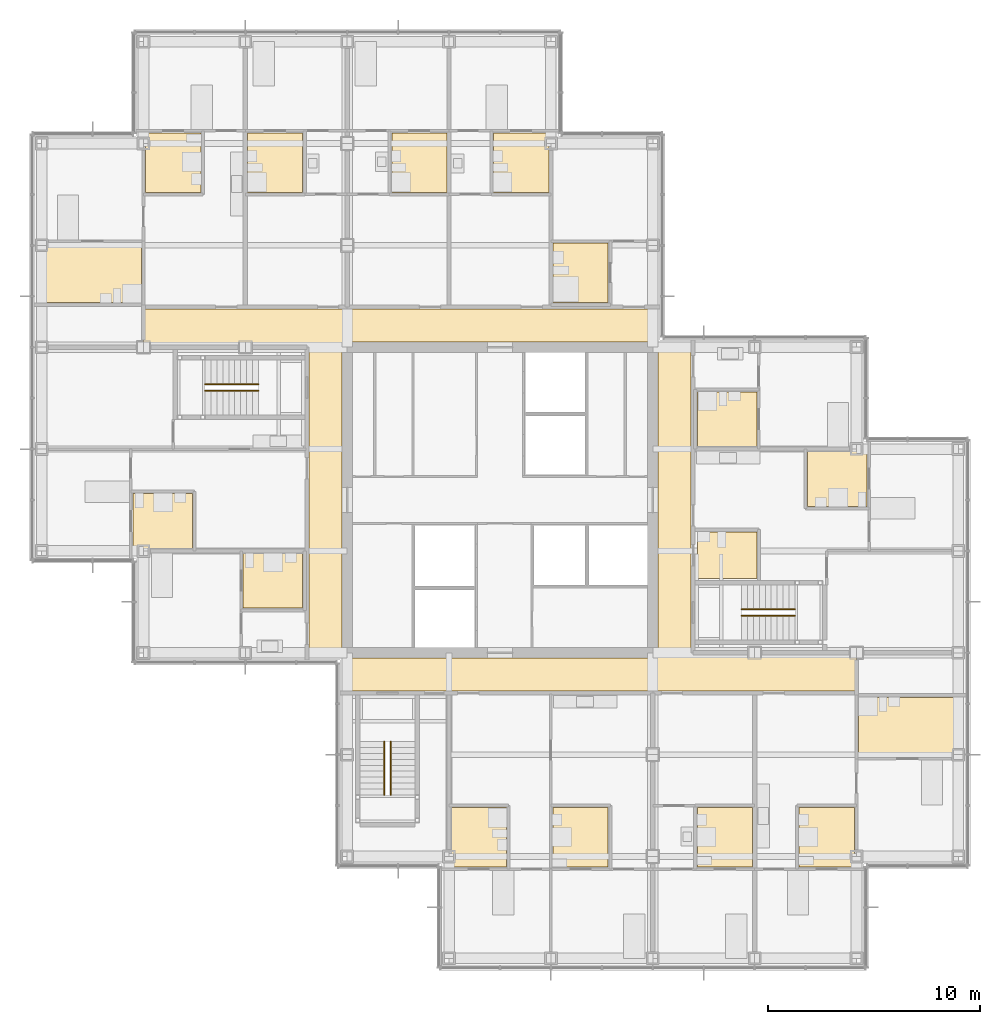
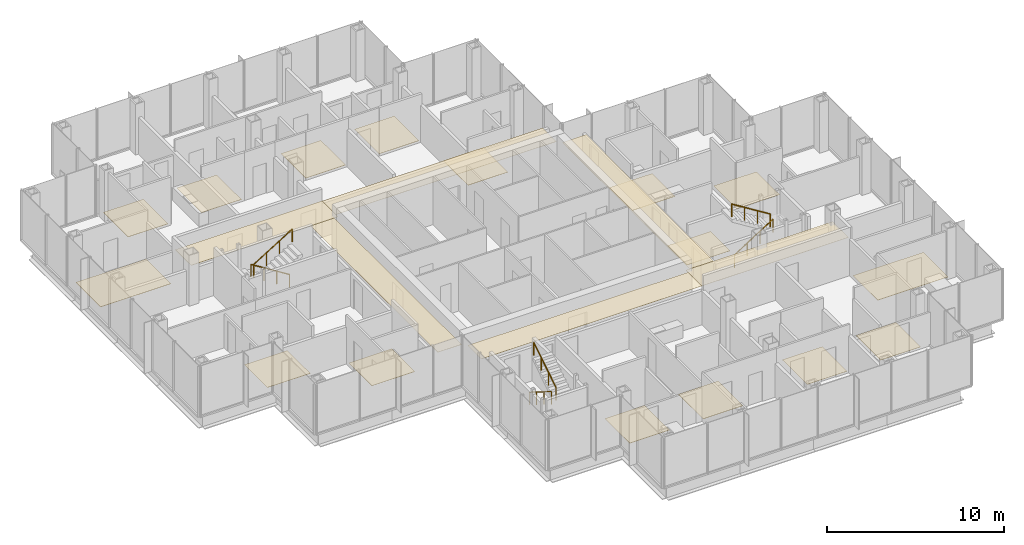
# One storey, part 18 of 20: 22 coverings, 6 railings.
"""IFC4 building model written with IfcOpenShell, lengths in metres."""

from ifc_helpers import new_model, si_unit, direction, frame, origin, origin_2d, place, context, subcontext, project, spatial, polyline, circle, outline, extrude, material, layer, layer_set, type_object, element, save


model = new_model("IFC4")

# Units and contexts
model_context = context("Model", 3, precision=1e-05, world=origin(), true_north=direction((0.0, 1.0)))
body_context = subcontext(model_context, "Body", "Model", "MODEL_VIEW")
ifc_project = project(units=[si_unit("LENGTHUNIT", "METRE"), si_unit("AREAUNIT", "SQUARE_METRE"), si_unit("VOLUMEUNIT", "CUBIC_METRE"), si_unit("PLANEANGLEUNIT", "RADIAN"), si_unit("MASSUNIT", "GRAM", prefix="KILO")], contexts=[model_context])

# Site, building, storey
site_placement = place(None, origin())
site = spatial("IfcSite", under=ifc_project, at=site_placement, CompositionType="ELEMENT")
building_placement = place(site_placement, origin())
building = spatial("IfcBuilding", under=site, at=building_placement, Name="Kvirike Care Tower", CompositionType="ELEMENT")
storey_placement = place(building_placement, frame((0.0, 0.0, 119.0)))
storey = spatial("IfcBuildingStorey", under=building, at=storey_placement, Name="L32", CompositionType="ELEMENT", Elevation=119.0)

# Coverings
ifc_material_1 = material(Name="Perforated metal ceiling tile", Category="aluminium")
ifc_layer_1 = layer(ifc_material_1, 0.014892578125)
ifc_layer_set_1 = layer_set([ifc_layer_1], Name="CORRIDOR CEILING 15")
covering_type_1 = type_object("IfcCoveringType", Name="CORRIDOR CEILING 15", PredefinedType="CEILING", material=ifc_layer_set_1)
covering_1_placement = place(storey_placement, frame((0.0, 0.0, 2.5)))
element("IfcCovering", 1, at=covering_1_placement, inside=storey, type_object=covering_type_1, Name="Corridor ceiling L32", PredefinedType="CEILING", context=body_context, shape_type="SweptSolid", body=[
    extrude(outline(polyline([(12.60009765625, 43.199951171875), (14.14990234375, 43.199951171875), (14.14990234375, 28.800048828125), (12.60009765625, 28.800048828125), (12.60009765625, 43.199951171875)])), origin(), (0.0, 0.0, 1.0), 0.014892578125),
])
covering_2_placement = place(storey_placement, frame((0.0, 0.0, 2.5)))
element("IfcCovering", 2, at=covering_2_placement, inside=storey, type_object=covering_type_1, Name="Corridor ceiling L32", PredefinedType="CEILING", context=body_context, shape_type="SweptSolid", body=[
    extrude(outline(polyline([(14.39990234375, 45.0), (14.39990234375, 43.199951171875), (4.800048828125, 43.199951171875), (4.800048828125, 45.0), (14.39990234375, 45.0)])), origin(), (0.0, 0.0, 1.0), 0.014892578125),
])
covering_3_placement = place(storey_placement, frame((0.0, 0.0, 2.5)))
element("IfcCovering", 3, at=covering_3_placement, inside=storey, type_object=covering_type_1, Name="Corridor ceiling L32", PredefinedType="CEILING", context=body_context, shape_type="SweptSolid", body=[
    extrude(outline(polyline([(14.39990234375, 27.0), (14.39990234375, 28.550048828125), (28.800048828125, 28.550048828125), (28.800048828125, 27.0), (14.39990234375, 27.0)])), origin(), (0.0, 0.0, 1.0), 0.014892578125),
])
covering_4_placement = place(storey_placement, frame((0.0, 0.0, 2.5)))
element("IfcCovering", 4, at=covering_4_placement, inside=storey, type_object=covering_type_1, Name="Corridor ceiling L32", PredefinedType="CEILING", context=body_context, shape_type="SweptSolid", body=[
    extrude(outline(polyline([(28.800048828125, 45.0), (28.800048828125, 43.449951171875), (14.39990234375, 43.449951171875), (14.39990234375, 45.0), (28.800048828125, 45.0)])), origin(), (0.0, 0.0, 1.0), 0.014892578125),
])
covering_5_placement = place(storey_placement, frame((0.0, 0.0, 2.5)))
element("IfcCovering", 5, at=covering_5_placement, inside=storey, type_object=covering_type_1, Name="Corridor ceiling L32", PredefinedType="CEILING", context=body_context, shape_type="SweptSolid", body=[
    extrude(outline(polyline([(28.800048828125, 27.0), (28.800048828125, 28.800048828125), (38.39990234375, 28.800048828125), (38.39990234375, 27.0), (28.800048828125, 27.0)])), origin(), (0.0, 0.0, 1.0), 0.014892578125),
])
covering_6_placement = place(storey_placement, frame((0.0, 0.0, 2.5)))
element("IfcCovering", 6, at=covering_6_placement, inside=storey, type_object=covering_type_1, Name="Corridor ceiling L32", PredefinedType="CEILING", context=body_context, shape_type="SweptSolid", body=[
    extrude(outline(polyline([(30.60009765625, 28.800048828125), (29.050048828125, 28.800048828125), (29.050048828125, 43.199951171875), (30.60009765625, 43.199951171875), (30.60009765625, 28.800048828125)])), origin(), (0.0, 0.0, 1.0), 0.014892578125),
])

# Railings
ifc_material_2 = material(Name="Stainless steel handrail", Category="steel")
railing_type = type_object("IfcRailingType", Name="STAIR HANDRAIL 900", PredefinedType="HANDRAIL", material=ifc_material_2)
railing_1_placement = place(storey_placement, frame((10.219970703125, 41.449951171875, 0.175048828125)))
element("IfcRailing", 7, at=railing_1_placement, inside=storey, type_object=railing_type, Name="Stair 1 handrail L32 flight 1", PredefinedType="HANDRAIL", context=body_context, shape_type="SweptSolid", body=[
    extrude(circle(Radius=0.02490234375, at=origin_2d()), frame((0.0, 0.0, 0.875), z_axis=(-0.848007534815, 0.0, 0.529984170421), x_axis=(0.0, -1.0, 0.0)), (0.0, 0.0, 1.0), 2.9716796875),
    extrude(circle(Radius=0.02001953125, at=origin_2d()), origin(), (0.0, 0.0, 1.0), 0.849853515625),
    extrude(circle(Radius=0.02001953125, at=origin_2d()), frame((-0.840087890625, 0.0, 0.52490234375)), (0.0, 0.0, 1.0), 0.849853515625),
    extrude(circle(Radius=0.02001953125, at=origin_2d()), frame((-1.679931640625, 0.0, 1.050048828125)), (0.0, 0.0, 1.0), 0.849853515625),
    extrude(circle(Radius=0.02001953125, at=origin_2d()), frame((-2.52001953125, 0.0, 1.574951171875)), (0.0, 0.0, 1.0), 0.849853515625),
])
for number, where, name in (
    (8, (7.699951171875, 41.14990234375, 1.925048828125), "Stair 1 handrail L32 flight 2"),
    (9, (32.97998046875, 30.550048828125, 0.175048828125), "Stair 2 handrail L32 flight 1"),
):
    element("IfcRailing", number, at=place(storey_placement, frame(where)), inside=storey, type_object=railing_type, Name=name, PredefinedType="HANDRAIL", context=body_context, shape_type="SweptSolid", body=[
        extrude(circle(Radius=0.02490234375, at=origin_2d()), frame((0.0, 0.0, 0.875), z_axis=(0.848007534815, 0.0, 0.529984170421), x_axis=(0.0, 1.0, 0.0)), (0.0, 0.0, 1.0), 2.9716796875),
        extrude(circle(Radius=0.02001953125, at=origin_2d()), origin(), (0.0, 0.0, 1.0), 0.849853515625),
        extrude(circle(Radius=0.02001953125, at=origin_2d()), frame((0.840087890625, 0.0, 0.52490234375)), (0.0, 0.0, 1.0), 0.849853515625),
        extrude(circle(Radius=0.02001953125, at=origin_2d()), frame((1.679931640625, 0.0, 1.050048828125)), (0.0, 0.0, 1.0), 0.849853515625),
        extrude(circle(Radius=0.02001953125, at=origin_2d()), frame((2.52001953125, 0.0, 1.574951171875)), (0.0, 0.0, 1.0), 0.849853515625),
    ])
railing_2_placement = place(storey_placement, frame((35.5, 30.85009765625, 1.925048828125)))
element("IfcRailing", 10, at=railing_2_placement, inside=storey, type_object=railing_type, Name="Stair 2 handrail L32 flight 2", PredefinedType="HANDRAIL", context=body_context, shape_type="SweptSolid", body=[
    extrude(circle(Radius=0.02490234375, at=origin_2d()), frame((0.0, 0.0, 0.875), z_axis=(-0.848007534815, 0.0, 0.529984170421), x_axis=(0.0, -1.0, 0.0)), (0.0, 0.0, 1.0), 2.9716796875),
    extrude(circle(Radius=0.02001953125, at=origin_2d()), origin(), (0.0, 0.0, 1.0), 0.849853515625),
    extrude(circle(Radius=0.02001953125, at=origin_2d()), frame((-0.840087890625, 0.0, 0.52490234375)), (0.0, 0.0, 1.0), 0.849853515625),
    extrude(circle(Radius=0.02001953125, at=origin_2d()), frame((-1.679931640625, 0.0, 1.050048828125)), (0.0, 0.0, 1.0), 0.849853515625),
    extrude(circle(Radius=0.02001953125, at=origin_2d()), frame((-2.52001953125, 0.0, 1.574951171875)), (0.0, 0.0, 1.0), 0.849853515625),
])
railing_3_placement = place(storey_placement, frame((16.14990234375, 24.6201171875, 0.175048828125)))
element("IfcRailing", 11, at=railing_3_placement, inside=storey, type_object=railing_type, Name="Stair 5 handrail L32 flight 1", PredefinedType="HANDRAIL", context=body_context, shape_type="SweptSolid", body=[
    extrude(circle(Radius=0.02490234375, at=origin_2d()), frame((0.0, 0.0, 0.875), z_axis=(0.0, -0.848007534815, 0.529984170421), x_axis=(1.0, 0.0, 0.0)), (0.0, 0.0, 1.0), 2.9716796875),
    extrude(circle(Radius=0.02001953125, at=origin_2d()), origin(), (0.0, 0.0, 1.0), 0.849853515625),
    extrude(circle(Radius=0.02001953125, at=origin_2d()), frame((0.0, -0.840087890625, 0.52490234375)), (0.0, 0.0, 1.0), 0.849853515625),
    extrude(circle(Radius=0.02001953125, at=origin_2d()), frame((0.0, -1.679931640625, 1.050048828125)), (0.0, 0.0, 1.0), 0.849853515625),
    extrude(circle(Radius=0.02001953125, at=origin_2d()), frame((0.0, -2.52001953125, 1.574951171875)), (0.0, 0.0, 1.0), 0.849853515625),
])
railing_4_placement = place(storey_placement, frame((16.449951171875, 22.10009765625, 1.925048828125)))
element("IfcRailing", 12, at=railing_4_placement, inside=storey, type_object=railing_type, Name="Stair 5 handrail L32 flight 2", PredefinedType="HANDRAIL", context=body_context, shape_type="SweptSolid", body=[
    extrude(circle(Radius=0.02490234375, at=origin_2d()), frame((0.0, 0.0, 0.875), z_axis=(0.0, 0.848007534815, 0.529984170421), x_axis=(-1.0, 0.0, 0.0)), (0.0, 0.0, 1.0), 2.9716796875),
    extrude(circle(Radius=0.02001953125, at=origin_2d()), origin(), (0.0, 0.0, 1.0), 0.849853515625),
    extrude(circle(Radius=0.02001953125, at=origin_2d()), frame((0.0, 0.840087890625, 0.52490234375)), (0.0, 0.0, 1.0), 0.849853515625),
    extrude(circle(Radius=0.02001953125, at=origin_2d()), frame((0.0, 1.679931640625, 1.050048828125)), (0.0, 0.0, 1.0), 0.849853515625),
    extrude(circle(Radius=0.02001953125, at=origin_2d()), frame((0.0, 2.52001953125, 1.574951171875)), (0.0, 0.0, 1.0), 0.849853515625),
])

# Coverings
ifc_material_3 = material(Name="Slip-resistant vinyl safety flooring on screed")
ifc_layer_2 = layer(ifc_material_3, 0.02001953125)
ifc_layer_set_2 = layer_set([ifc_layer_2], Name="WET ROOM FLOOR 20")
covering_type_2 = type_object("IfcCoveringType", Name="WET ROOM FLOOR 20", PredefinedType="FLOORING", material=ifc_layer_set_2)
covering_7_placement = place(storey_placement, origin())
element("IfcCovering", 13, at=covering_7_placement, inside=storey, type_object=covering_type_2, Name="En-suite floor L32-005", PredefinedType="FLOORING", context=body_context, shape_type="SweptSolid", body=[
    extrude(outline(polyline([(4.300048828125, 36.300048828125), (7.10009765625, 36.300048828125), (7.10009765625, 33.699951171875), (4.300048828125, 33.699951171875), (4.300048828125, 36.300048828125)])), origin(), (0.0, 0.0, 1.0), 0.02001953125),
])
covering_8_placement = place(storey_placement, origin())
element("IfcCovering", 14, at=covering_8_placement, inside=storey, type_object=covering_type_2, Name="En-suite floor L32-009", PredefinedType="FLOORING", context=body_context, shape_type="SweptSolid", body=[
    extrude(outline(polyline([(9.5, 33.5), (12.300048828125, 33.5), (12.300048828125, 30.89990234375), (9.5, 30.89990234375), (9.5, 33.5)])), origin(), (0.0, 0.0, 1.0), 0.02001953125),
])
covering_9_placement = place(storey_placement, origin())
element("IfcCovering", 15, at=covering_9_placement, inside=storey, type_object=covering_type_2, Name="En-suite floor L32-013", PredefinedType="FLOORING", context=body_context, shape_type="SweptSolid", body=[
    extrude(outline(polyline([(12.300048828125, 53.300048828125), (12.300048828125, 50.5), (9.699951171875, 50.5), (9.699951171875, 53.300048828125), (12.300048828125, 53.300048828125)])), origin(), (0.0, 0.0, 1.0), 0.02001953125),
])
covering_10_placement = place(storey_placement, origin())
element("IfcCovering", 16, at=covering_10_placement, inside=storey, type_object=covering_type_2, Name="En-suite floor L32-018", PredefinedType="FLOORING", context=body_context, shape_type="SweptSolid", body=[
    extrude(outline(polyline([(7.5, 53.300048828125), (7.5, 50.5), (4.89990234375, 50.5), (4.89990234375, 53.300048828125), (7.5, 53.300048828125)])), origin(), (0.0, 0.0, 1.0), 0.02001953125),
])
covering_11_placement = place(storey_placement, origin())
element("IfcCovering", 17, at=covering_11_placement, inside=storey, type_object=covering_type_2, Name="En-suite floor L32-019", PredefinedType="FLOORING", context=body_context, shape_type="SweptSolid", body=[
    extrude(outline(polyline([(4.699951171875, 48.10009765625), (4.699951171875, 45.300048828125), (0.10009765625, 45.300048828125), (0.10009765625, 48.10009765625), (4.699951171875, 48.10009765625)])), origin(), (0.0, 0.0, 1.0), 0.02001953125),
])
covering_12_placement = place(storey_placement, origin())
element("IfcCovering", 18, at=covering_12_placement, inside=storey, type_object=covering_type_2, Name="En-suite floor L32-026", PredefinedType="FLOORING", context=body_context, shape_type="SweptSolid", body=[
    extrude(outline(polyline([(19.300048828125, 18.699951171875), (19.300048828125, 21.5), (21.89990234375, 21.5), (21.89990234375, 18.699951171875), (19.300048828125, 18.699951171875)])), origin(), (0.0, 0.0, 1.0), 0.02001953125),
])
covering_13_placement = place(storey_placement, origin())
element("IfcCovering", 19, at=covering_13_placement, inside=storey, type_object=covering_type_2, Name="En-suite floor L32-027", PredefinedType="FLOORING", context=body_context, shape_type="SweptSolid", body=[
    extrude(outline(polyline([(24.10009765625, 18.699951171875), (24.10009765625, 21.5), (26.699951171875, 21.5), (26.699951171875, 18.699951171875), (24.10009765625, 18.699951171875)])), origin(), (0.0, 0.0, 1.0), 0.02001953125),
])
covering_14_placement = place(storey_placement, origin())
element("IfcCovering", 20, at=covering_14_placement, inside=storey, type_object=covering_type_2, Name="Assisted bathroom floor L32-032", PredefinedType="FLOORING", context=body_context, shape_type="SweptSolid", body=[
    extrude(outline(polyline([(26.699951171875, 48.10009765625), (26.699951171875, 45.300048828125), (24.10009765625, 45.300048828125), (24.10009765625, 48.10009765625), (26.699951171875, 48.10009765625)])), origin(), (0.0, 0.0, 1.0), 0.02001953125),
])
covering_15_placement = place(storey_placement, origin())
element("IfcCovering", 21, at=covering_15_placement, inside=storey, type_object=covering_type_2, Name="En-suite floor L32-035", PredefinedType="FLOORING", context=body_context, shape_type="SweptSolid", body=[
    extrude(outline(polyline([(23.89990234375, 53.300048828125), (23.89990234375, 50.5), (21.300048828125, 50.5), (21.300048828125, 53.300048828125), (23.89990234375, 53.300048828125)])), origin(), (0.0, 0.0, 1.0), 0.02001953125),
])
covering_16_placement = place(storey_placement, origin())
element("IfcCovering", 22, at=covering_16_placement, inside=storey, type_object=covering_type_2, Name="En-suite floor L32-039", PredefinedType="FLOORING", context=body_context, shape_type="SweptSolid", body=[
    extrude(outline(polyline([(19.10009765625, 53.300048828125), (19.10009765625, 50.5), (16.5, 50.5), (16.5, 53.300048828125), (19.10009765625, 53.300048828125)])), origin(), (0.0, 0.0, 1.0), 0.02001953125),
])
covering_17_placement = place(storey_placement, origin())
element("IfcCovering", 23, at=covering_17_placement, inside=storey, type_object=covering_type_2, Name="En-suite floor L32-044", PredefinedType="FLOORING", context=body_context, shape_type="SweptSolid", body=[
    extrude(outline(polyline([(30.89990234375, 18.699951171875), (30.89990234375, 21.5), (33.5, 21.5), (33.5, 18.699951171875), (30.89990234375, 18.699951171875)])), origin(), (0.0, 0.0, 1.0), 0.02001953125),
])
covering_18_placement = place(storey_placement, origin())
element("IfcCovering", 24, at=covering_18_placement, inside=storey, type_object=covering_type_2, Name="En-suite floor L32-049", PredefinedType="FLOORING", context=body_context, shape_type="SweptSolid", body=[
    extrude(outline(polyline([(35.699951171875, 18.699951171875), (35.699951171875, 21.5), (38.300048828125, 21.5), (38.300048828125, 18.699951171875), (35.699951171875, 18.699951171875)])), origin(), (0.0, 0.0, 1.0), 0.02001953125),
])
covering_19_placement = place(storey_placement, origin())
element("IfcCovering", 25, at=covering_19_placement, inside=storey, type_object=covering_type_2, Name="En-suite floor L32-050", PredefinedType="FLOORING", context=body_context, shape_type="SweptSolid", body=[
    extrude(outline(polyline([(38.5, 23.89990234375), (38.5, 26.699951171875), (43.10009765625, 26.699951171875), (43.10009765625, 23.89990234375), (38.5, 23.89990234375)])), origin(), (0.0, 0.0, 1.0), 0.02001953125),
])
covering_20_placement = place(storey_placement, origin())
element("IfcCovering", 26, at=covering_20_placement, inside=storey, type_object=covering_type_2, Name="Accessible WC floor L32-056", PredefinedType="FLOORING", context=body_context, shape_type="SweptSolid", body=[
    extrude(outline(polyline([(33.699951171875, 32.300048828125), (30.89990234375, 32.300048828125), (30.89990234375, 34.5), (33.699951171875, 34.5), (33.699951171875, 32.300048828125)])), origin(), (0.0, 0.0, 1.0), 0.02001953125),
])
covering_21_placement = place(storey_placement, origin())
element("IfcCovering", 27, at=covering_21_placement, inside=storey, type_object=covering_type_2, Name="En-suite floor L32-057", PredefinedType="FLOORING", context=body_context, shape_type="SweptSolid", body=[
    extrude(outline(polyline([(38.89990234375, 35.699951171875), (36.10009765625, 35.699951171875), (36.10009765625, 38.300048828125), (38.89990234375, 38.300048828125), (38.89990234375, 35.699951171875)])), origin(), (0.0, 0.0, 1.0), 0.02001953125),
])
covering_22_placement = place(storey_placement, origin())
element("IfcCovering", 28, at=covering_22_placement, inside=storey, type_object=covering_type_2, Name="En-suite floor L32-060", PredefinedType="FLOORING", context=body_context, shape_type="SweptSolid", body=[
    extrude(outline(polyline([(33.699951171875, 38.5), (30.89990234375, 38.5), (30.89990234375, 41.10009765625), (33.699951171875, 41.10009765625), (33.699951171875, 38.5)])), origin(), (0.0, 0.0, 1.0), 0.02001953125),
])

save(model, "model.ifc")
